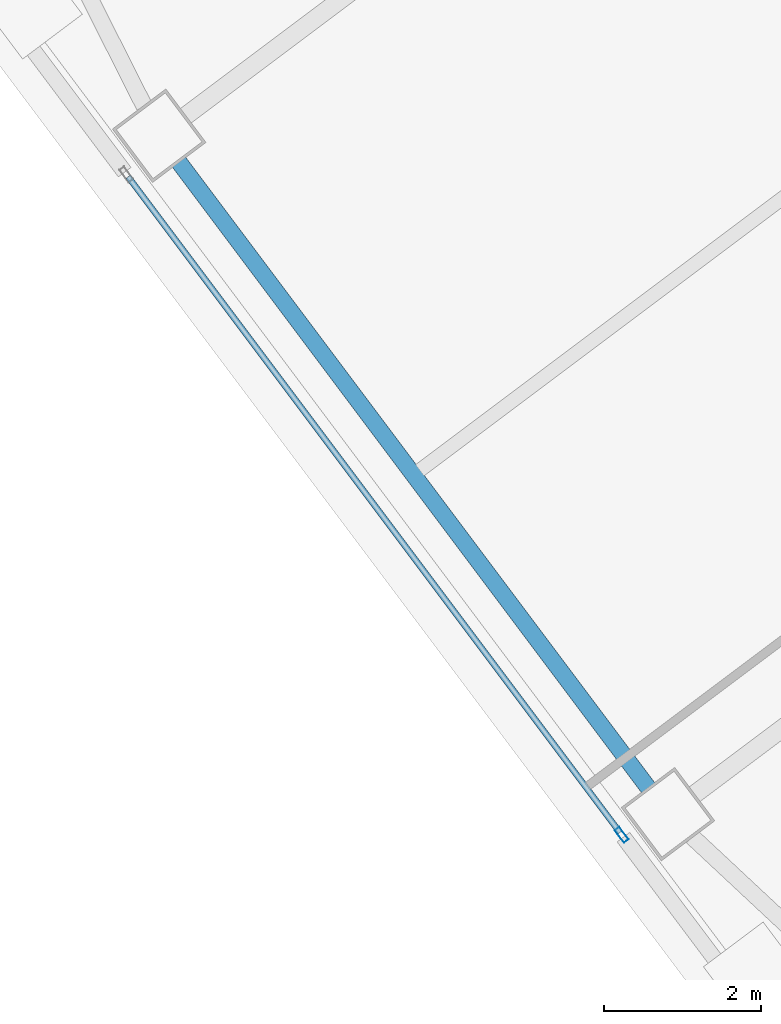
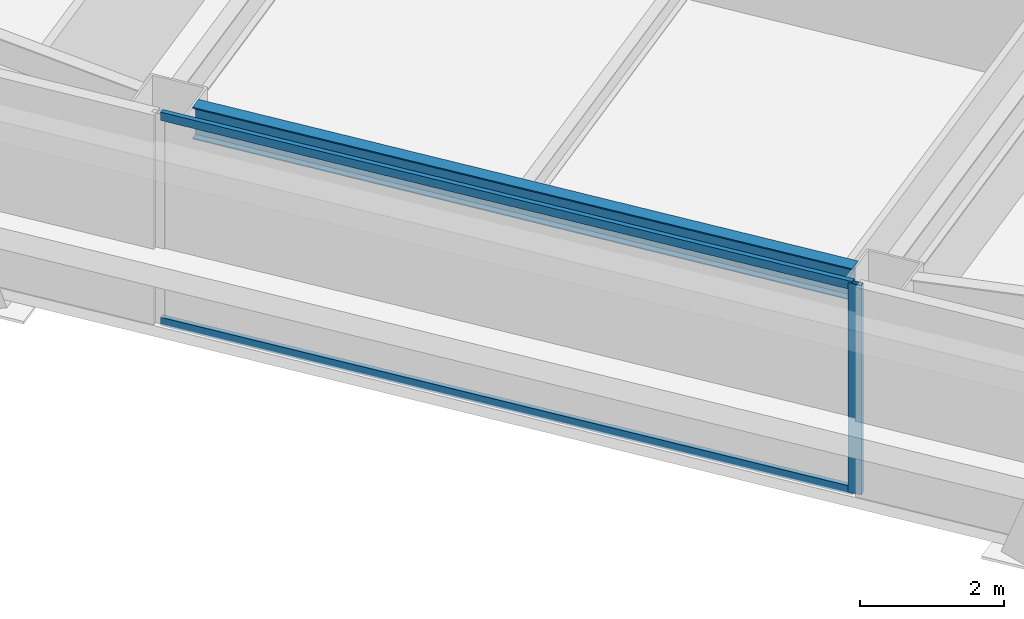
# One storey, part 23 of 54: 3 members, 1 beam, 1 element without a shape of its own.
"""IFC4 building model written with IfcOpenShell, lengths in metres."""

from ifc_helpers import new_model, si_unit, direction, frame, origin, origin_2d, place, context, subcontext, project, spatial, hollow_rectangle, i_section, extrude, material, material_profile, profile_set, type_object, element, aggregate, save


model = new_model("IFC4")

# Units and contexts
model_context = context("Model", 3, precision=1e-05, world=origin(), true_north=direction((0.0, 1.0)))
body_context = subcontext(model_context, "Body", "Model", "MODEL_VIEW")
ifc_project = project(units=[si_unit("LENGTHUNIT", "METRE"), si_unit("AREAUNIT", "SQUARE_METRE"), si_unit("VOLUMEUNIT", "CUBIC_METRE"), si_unit("PLANEANGLEUNIT", "RADIAN"), si_unit("MASSUNIT", "GRAM", prefix="KILO")], contexts=[model_context])

# Site, building, storey
site_placement = place(None, origin())
site = spatial("IfcSite", under=ifc_project, at=site_placement, CompositionType="ELEMENT")
building_placement = place(site_placement, origin())
building = spatial("IfcBuilding", under=site, at=building_placement, Name="Tashvorn Skyway Center", CompositionType="ELEMENT")
storey_placement = place(building_placement, frame((0.0, 0.0, 135.699951171875)))
storey = spatial("IfcBuildingStorey", under=building, at=storey_placement, Name="L36", CompositionType="ELEMENT", Elevation=135.699951171875)

# Beam
ifc_material_1 = material(Name="Steel ASTM A992 Grade 50", Category="steel")
ifc_material_profile_1 = material_profile(ifc_material_1, i_section(OverallWidth=0.2109375, OverallDepth=0.5390625, WebThickness=0.01171875, FlangeThickness=0.018798828125, at=origin_2d()), Name="W21X73")
ifc_profile_set_1 = profile_set([ifc_material_profile_1], Name="Steel ASTM A992 Grade 50")
beam_type = type_object("IfcBeamType", Name="BM-SPANDREL-W21X73", PredefinedType="SPANDREL", material=ifc_profile_set_1)
beam_placement = place(storey_placement, frame((96.89208984375, 25.39404296875, 3.1005859375), z_axis=(0.599988234018, -0.800008824351, 0.0), x_axis=(0.800008824351, 0.599988234018, 0.0)))
element("IfcBeam", 1, at=beam_placement, inside=storey, type_object=beam_type, Name="Tower 2 L36 Spandrel Beam 11", PredefinedType="SPANDREL", context=body_context, shape_type="SweptSolid", body=[
    extrude(i_section(OverallWidth=0.2109375, OverallDepth=0.5390625, WebThickness=0.01171875, FlangeThickness=0.018798828125, at=origin_2d()), origin(), (0.0, 0.0, 1.0), 9.9599609375),
])

# Curtain wall, members
ifc_material_2 = material(Name="Thermally broken bronze-anodized aluminium 6063-T6", Category="aluminium")
curtain_wall_type = type_object("IfcCurtainWallType", Name="CW-CW-Z3", PredefinedType="NOTDEFINED", material=ifc_material_2)
curtain_wall_placement = place(storey_placement, origin())
curtain_wall = element("IfcCurtainWall", 2, at=curtain_wall_placement, inside=storey, type_object=curtain_wall_type, Name="Tower 2 L36 West Unitised Curtain Wall Glazing Group 2", PredefinedType="NOTDEFINED")
ifc_material_profile_2 = material_profile(ifc_material_2, hollow_rectangle(XDim=0.074951171875, YDim=0.199951171875, WallThickness=0.00439453125, at=origin_2d()), Name="ALU-MULL-75x200")
ifc_profile_set_2 = profile_set([ifc_material_profile_2], Name="Thermally broken bronze-anodized aluminium 6063-T6")
member_type_1 = type_object("IfcMemberType", Name="CWM-CW-Z3", PredefinedType="MULLION", material=ifc_profile_set_2)
member_1_placement = place(storey_placement, frame((102.529541015625, 16.827392578125, 0.0), z_axis=(0.0, 0.0, 1.0), x_axis=(-0.800002266987, -0.599996977339, 0.0)))
member_1 = element("IfcMember", 3, at=member_1_placement, type_object=member_type_1, Name="CW-Z3 mullion 1", PredefinedType="MULLION", context=body_context, shape_type="SweptSolid", body=[
    extrude(hollow_rectangle(XDim=0.074951171875, YDim=0.199951171875, WallThickness=0.00439453125, at=origin_2d()), origin(), (0.0, 0.0, 1.0), 3.550048828125),
])
ifc_material_profile_3 = material_profile(ifc_material_2, hollow_rectangle(XDim=0.074951171875, YDim=0.139892578125, WallThickness=0.004150390625, at=origin_2d()), Name="ALU-TRAN-75x140")
ifc_profile_set_3 = profile_set([ifc_material_profile_3], Name="Thermally broken bronze-anodized aluminium 6063-T6")
member_type_2 = type_object("IfcMemberType", Name="CWT-CW-Z3", PredefinedType="USERDEFINED", material=ifc_profile_set_3)
member_2_placement = place(storey_placement, frame((102.507080078125, 16.857421875, 0.03759765625), z_axis=(-0.599996257181, 0.800002807101, 0.0), x_axis=(-0.800002807101, -0.599996257181, 0.0)))
member_2 = element("IfcMember", 4, at=member_2_placement, type_object=member_type_2, Name="CW-Z3 transom 1.1", ObjectType="TRANSOM", PredefinedType="USERDEFINED", context=body_context, shape_type="SweptSolid", body=[
    extrude(hollow_rectangle(XDim=0.074951171875, YDim=0.139892578125, WallThickness=0.004150390625, at=origin_2d()), origin(), (0.0, 0.0, 1.0), 10.436767578125),
])
member_3_placement = place(storey_placement, frame((102.507080078125, 16.857421875, 3.512451171875), z_axis=(-0.599996257181, 0.800002807101, 0.0), x_axis=(-0.800002807101, -0.599996257181, 0.0)))
member_3 = element("IfcMember", 5, at=member_3_placement, type_object=member_type_2, Name="CW-Z3 transom 1.2", ObjectType="TRANSOM", PredefinedType="USERDEFINED", context=body_context, shape_type="SweptSolid", body=[
    extrude(hollow_rectangle(XDim=0.074951171875, YDim=0.139892578125, WallThickness=0.004150390625, at=origin_2d()), origin(), (0.0, 0.0, 1.0), 10.436767578125),
])
aggregate(curtain_wall, [member_1, member_2, member_3])

save(model, "model.ifc")
